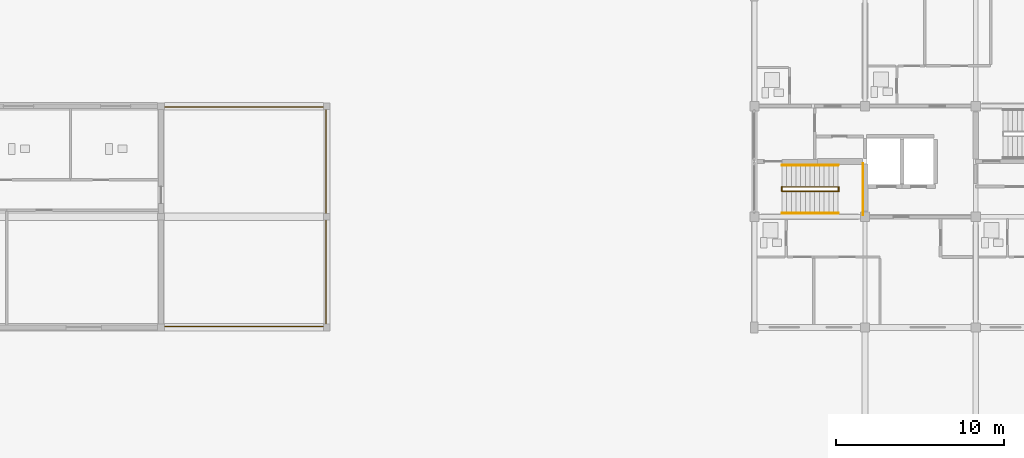
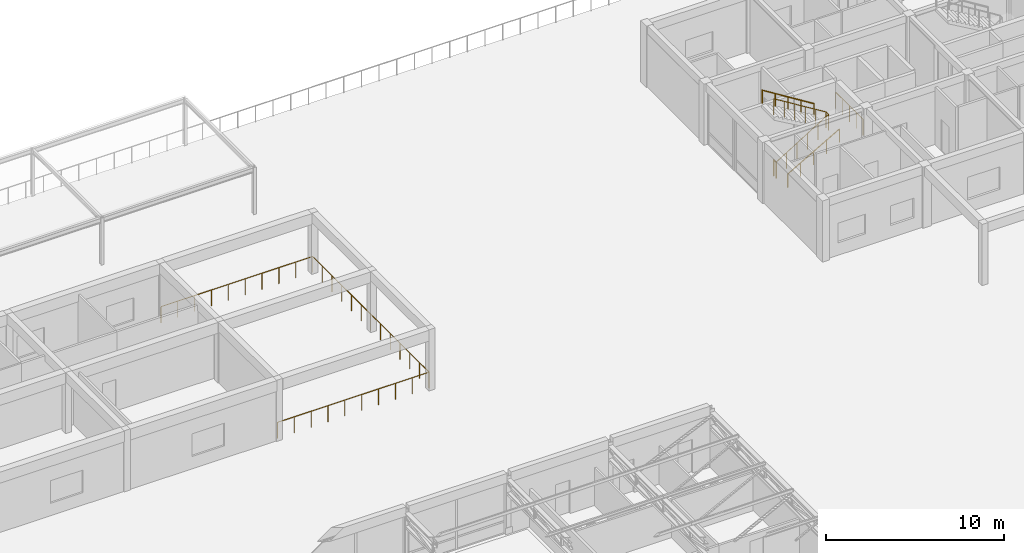
# One storey, part 87 of 92: 6 railings.
"""IFC4 building model written with IfcOpenShell, lengths in metres."""

from ifc_helpers import new_model, si_unit, direction, frame, origin, origin_2d, place, context, subcontext, project, spatial, circle, extrude, material, type_object, element, save


model = new_model("IFC4")

# Units and contexts
model_context = context("Model", 3, precision=1e-05, world=origin(), true_north=direction((0.0, 1.0)))
body_context = subcontext(model_context, "Body", "Model", "MODEL_VIEW")
ifc_project = project(units=[si_unit("LENGTHUNIT", "METRE"), si_unit("AREAUNIT", "SQUARE_METRE"), si_unit("VOLUMEUNIT", "CUBIC_METRE"), si_unit("PLANEANGLEUNIT", "RADIAN"), si_unit("MASSUNIT", "GRAM", prefix="KILO")], contexts=[model_context])

# Site, building, storey
site_placement = place(None, origin())
site = spatial("IfcSite", under=ifc_project, at=site_placement, CompositionType="ELEMENT")
building_placement = place(site_placement, origin())
building = spatial("IfcBuilding", under=site, at=building_placement, Name="Kernevlak Ridge Housing Community", CompositionType="ELEMENT")
storey_placement = place(building_placement, frame((0.0, 0.0, 4.199951171875)))
storey = spatial("IfcBuildingStorey", under=building, at=storey_placement, Name="L01", CompositionType="ELEMENT", Elevation=4.199951171875)

# Railings
ifc_material_1 = material(Name="Steel S355", Category="steel")
railing_type_1 = type_object("IfcRailingType", Name="GR-01", PredefinedType="GUARDRAIL", material=ifc_material_1)
railing_1_placement = place(storey_placement, frame((84.0, 82.64990234375, 0.0)))
element("IfcRailing", 1, at=railing_1_placement, inside=storey, type_object=railing_type_1, Name="Nursery outdoor play terrace guard GR-01 57", PredefinedType="GUARDRAIL", context=body_context, shape_type="SweptSolid", body=[
    extrude(circle(Radius=0.02392578125, at=origin_2d()), frame((0.0, 0.0, 1.09619140625), z_axis=(1.0, 0.0, 0.0), x_axis=(0.0, 1.0, 0.0)), (0.0, 0.0, 1.0), 9.85009765625),
    extrude(circle(Radius=0.02392578125, at=origin_2d()), frame((9.85009765625, 0.0, 1.09619140625), z_axis=(0.0, 1.0, 0.0), x_axis=(-1.0, 0.0, 0.0)), (0.0, 0.0, 1.0), 13.10009765625),
    extrude(circle(Radius=0.02392578125, at=origin_2d()), frame((9.85009765625, 13.10009765625, 1.09619140625), z_axis=(-1.0, 0.0, 0.0), x_axis=(0.0, -1.0, 0.0)), (0.0, 0.0, 1.0), 9.85009765625),
    extrude(circle(Radius=0.02099609375, at=origin_2d()), origin(), (0.0, 0.0, 1.0), 1.072021484375),
    extrude(circle(Radius=0.02099609375, at=origin_2d()), frame((1.094482421875, 0.0, 0.0)), (0.0, 0.0, 1.0), 1.072021484375),
    extrude(circle(Radius=0.02099609375, at=origin_2d()), frame((2.18896484375, 0.0, 0.0)), (0.0, 0.0, 1.0), 1.072021484375),
    extrude(circle(Radius=0.02099609375, at=origin_2d()), frame((3.283447265625, 0.0, 0.0)), (0.0, 0.0, 1.0), 1.072021484375),
    extrude(circle(Radius=0.02099609375, at=origin_2d()), frame((4.3779296875, 0.0, 0.0)), (0.0, 0.0, 1.0), 1.072021484375),
    extrude(circle(Radius=0.02099609375, at=origin_2d()), frame((5.47216796875, 0.0, 0.0)), (0.0, 0.0, 1.0), 1.072021484375),
    extrude(circle(Radius=0.02099609375, at=origin_2d()), frame((6.566650390625, 0.0, 0.0)), (0.0, 0.0, 1.0), 1.072021484375),
    extrude(circle(Radius=0.02099609375, at=origin_2d()), frame((7.6611328125, 0.0, 0.0)), (0.0, 0.0, 1.0), 1.072021484375),
    extrude(circle(Radius=0.02099609375, at=origin_2d()), frame((8.755615234375, 0.0, 0.0)), (0.0, 0.0, 1.0), 1.072021484375),
    extrude(circle(Radius=0.02099609375, at=origin_2d()), frame((9.85009765625, 0.0, 0.0)), (0.0, 0.0, 1.0), 1.072021484375),
    extrude(circle(Radius=0.02099609375, at=origin_2d()), frame((9.85009765625, 1.091796875, 0.0)), (0.0, 0.0, 1.0), 1.072021484375),
    extrude(circle(Radius=0.02099609375, at=origin_2d()), frame((9.85009765625, 2.183349609375, 0.0)), (0.0, 0.0, 1.0), 1.072021484375),
    extrude(circle(Radius=0.02099609375, at=origin_2d()), frame((9.85009765625, 3.27490234375, 0.0)), (0.0, 0.0, 1.0), 1.072021484375),
    extrude(circle(Radius=0.02099609375, at=origin_2d()), frame((9.85009765625, 4.36669921875, 0.0)), (0.0, 0.0, 1.0), 1.072021484375),
    extrude(circle(Radius=0.02099609375, at=origin_2d()), frame((9.85009765625, 5.45849609375, 0.0)), (0.0, 0.0, 1.0), 1.072021484375),
    extrude(circle(Radius=0.02099609375, at=origin_2d()), frame((9.85009765625, 6.550048828125, 0.0)), (0.0, 0.0, 1.0), 1.072021484375),
    extrude(circle(Radius=0.02099609375, at=origin_2d()), frame((9.85009765625, 7.641845703125, 0.0)), (0.0, 0.0, 1.0), 1.072021484375),
    extrude(circle(Radius=0.02099609375, at=origin_2d()), frame((9.85009765625, 8.7333984375, 0.0)), (0.0, 0.0, 1.0), 1.072021484375),
    extrude(circle(Radius=0.02099609375, at=origin_2d()), frame((9.85009765625, 9.8251953125, 0.0)), (0.0, 0.0, 1.0), 1.072021484375),
    extrude(circle(Radius=0.02099609375, at=origin_2d()), frame((9.85009765625, 10.916748046875, 0.0)), (0.0, 0.0, 1.0), 1.072021484375),
    extrude(circle(Radius=0.02099609375, at=origin_2d()), frame((9.85009765625, 12.00830078125, 0.0)), (0.0, 0.0, 1.0), 1.072021484375),
    extrude(circle(Radius=0.02099609375, at=origin_2d()), frame((9.85009765625, 13.10009765625, 0.0)), (0.0, 0.0, 1.0), 1.072021484375),
    extrude(circle(Radius=0.02099609375, at=origin_2d()), frame((8.755615234375, 13.10009765625, 0.0)), (0.0, 0.0, 1.0), 1.072021484375),
    extrude(circle(Radius=0.02099609375, at=origin_2d()), frame((7.6611328125, 13.10009765625, 0.0)), (0.0, 0.0, 1.0), 1.072021484375),
    extrude(circle(Radius=0.02099609375, at=origin_2d()), frame((6.566650390625, 13.10009765625, 0.0)), (0.0, 0.0, 1.0), 1.072021484375),
    extrude(circle(Radius=0.02099609375, at=origin_2d()), frame((5.47216796875, 13.10009765625, 0.0)), (0.0, 0.0, 1.0), 1.072021484375),
    extrude(circle(Radius=0.02099609375, at=origin_2d()), frame((4.3779296875, 13.10009765625, 0.0)), (0.0, 0.0, 1.0), 1.072021484375),
    extrude(circle(Radius=0.02099609375, at=origin_2d()), frame((3.283447265625, 13.10009765625, 0.0)), (0.0, 0.0, 1.0), 1.072021484375),
    extrude(circle(Radius=0.02099609375, at=origin_2d()), frame((2.18896484375, 13.10009765625, 0.0)), (0.0, 0.0, 1.0), 1.072021484375),
    extrude(circle(Radius=0.02099609375, at=origin_2d()), frame((1.094482421875, 13.10009765625, 0.0)), (0.0, 0.0, 1.0), 1.072021484375),
    extrude(circle(Radius=0.02099609375, at=origin_2d()), frame((0.0, 13.10009765625, 0.0)), (0.0, 0.0, 1.0), 1.072021484375),
])
railing_type_2 = type_object("IfcRailingType", Name="GR-02", PredefinedType="GUARDRAIL", material=ifc_material_1)
railing_2_placement = place(storey_placement, frame((121.0400390625, 90.7099609375, 0.0)))
element("IfcRailing", 2, at=railing_2_placement, inside=storey, type_object=railing_type_2, Name="Stair ST-B1 L01 well slot guard", PredefinedType="GUARDRAIL", context=body_context, shape_type="SweptSolid", body=[
    extrude(circle(Radius=0.02392578125, at=origin_2d()), frame((0.0, 0.0, 1.09619140625), z_axis=(0.0, 1.0, 0.0), x_axis=(-1.0, 0.0, 0.0)), (0.0, 0.0, 1.0), 0.280029296875),
    extrude(circle(Radius=0.02099609375, at=origin_2d()), origin(), (0.0, 0.0, 1.0), 1.072021484375),
    extrude(circle(Radius=0.02099609375, at=origin_2d()), frame((0.0, 0.280029296875, 0.0)), (0.0, 0.0, 1.0), 1.072021484375),
])
railing_3_placement = place(storey_placement, frame((121.0400390625, 90.719970703125, 0.0)))
element("IfcRailing", 3, at=railing_3_placement, inside=storey, type_object=railing_type_2, Name="Stair ST-B1 L01 inner well guardrail", PredefinedType="GUARDRAIL", context=body_context, shape_type="SweptSolid", body=[
    extrude(circle(Radius=0.02392578125, at=origin_2d()), frame((0.0, 0.0, 1.09619140625), z_axis=(0.850780323153, 0.0, 0.525521495028), x_axis=(0.0, 1.0, 0.0)), (0.0, 0.0, 1.0), 3.996337890625),
    extrude(circle(Radius=0.02392578125, at=origin_2d()), frame((3.39990234375, 0.0, 3.1962890625), z_axis=(0.0, 1.0, 0.0), x_axis=(-1.0, 0.0, 0.0)), (0.0, 0.0, 1.0), 0.260009765625),
    extrude(circle(Radius=0.02392578125, at=origin_2d()), frame((3.39990234375, 0.260009765625, 3.1962890625), z_axis=(-0.85080763774, 0.0, 0.525477272167), x_axis=(0.0, -1.0, 0.0)), (0.0, 0.0, 1.0), 3.99609375),
    extrude(circle(Radius=0.02099609375, at=origin_2d()), origin(), (0.0, 0.0, 1.0), 1.072021484375),
    extrude(circle(Radius=0.02099609375, at=origin_2d()), frame((0.679931640625, 0.0, 0.419921875)), (0.0, 0.0, 1.0), 1.072021484375),
    extrude(circle(Radius=0.02099609375, at=origin_2d()), frame((1.35986328125, 0.0, 0.840087890625)), (0.0, 0.0, 1.0), 1.072021484375),
    extrude(circle(Radius=0.02099609375, at=origin_2d()), frame((2.0400390625, 0.0, 1.260009765625)), (0.0, 0.0, 1.0), 1.072021484375),
    extrude(circle(Radius=0.02099609375, at=origin_2d()), frame((2.719970703125, 0.0, 1.68017578125)), (0.0, 0.0, 1.0), 1.072021484375),
    extrude(circle(Radius=0.02099609375, at=origin_2d()), frame((3.39990234375, 0.0, 2.10009765625)), (0.0, 0.0, 1.0), 1.072021484375),
    extrude(circle(Radius=0.02099609375, at=origin_2d()), frame((3.39990234375, 0.260009765625, 2.10009765625)), (0.0, 0.0, 1.0), 1.072021484375),
    extrude(circle(Radius=0.02099609375, at=origin_2d()), frame((2.719970703125, 0.260009765625, 2.52001953125)), (0.0, 0.0, 1.0), 1.072021484375),
    extrude(circle(Radius=0.02099609375, at=origin_2d()), frame((2.0400390625, 0.260009765625, 2.93994140625)), (0.0, 0.0, 1.0), 1.072021484375),
    extrude(circle(Radius=0.02099609375, at=origin_2d()), frame((1.35986328125, 0.260009765625, 3.360107421875)), (0.0, 0.0, 1.0), 1.072021484375),
    extrude(circle(Radius=0.02099609375, at=origin_2d()), frame((0.679931640625, 0.260009765625, 3.780029296875)), (0.0, 0.0, 1.0), 1.072021484375),
    extrude(circle(Radius=0.02099609375, at=origin_2d()), frame((0.0, 0.260009765625, 4.199951171875)), (0.0, 0.0, 1.0), 1.072021484375),
])
railing_4_placement = place(storey_placement, frame((125.8798828125, 89.320068359375, 2.10009765625)))
element("IfcRailing", 4, at=railing_4_placement, inside=storey, type_object=railing_type_2, Name="Stair ST-B1 L01 half-landing guard", PredefinedType="GUARDRAIL", context=body_context, shape_type="SweptSolid", body=[
    extrude(circle(Radius=0.02392578125, at=origin_2d()), frame((0.0, 0.0, 1.09619140625), z_axis=(0.0, 1.0, 0.0), x_axis=(-1.0, 0.0, 0.0)), (0.0, 0.0, 1.0), 3.059814453125),
    extrude(circle(Radius=0.02099609375, at=origin_2d()), origin(), (0.0, 0.0, 1.0), 1.072021484375),
    extrude(circle(Radius=0.02099609375, at=origin_2d()), frame((0.0, 0.764892578125, 0.0)), (0.0, 0.0, 1.0), 1.072021484375),
    extrude(circle(Radius=0.02099609375, at=origin_2d()), frame((0.0, 1.52978515625, 0.0)), (0.0, 0.0, 1.0), 1.072021484375),
    extrude(circle(Radius=0.02099609375, at=origin_2d()), frame((0.0, 2.294921875, 0.0)), (0.0, 0.0, 1.0), 1.072021484375),
    extrude(circle(Radius=0.02099609375, at=origin_2d()), frame((0.0, 3.059814453125, 0.0)), (0.0, 0.0, 1.0), 1.072021484375),
])
ifc_material_2 = material(Name="Stainless steel EN 1.4401", Category="steel")
railing_type_3 = type_object("IfcRailingType", Name="HR-01", PredefinedType="HANDRAIL", material=ifc_material_2)
railing_5_placement = place(storey_placement, frame((121.0400390625, 89.419921875, 0.16162109375)))
element("IfcRailing", 5, at=railing_5_placement, inside=storey, type_object=railing_type_3, Name="Stair ST-B1 L01 flight 1 handrail", PredefinedType="HANDRAIL", context=body_context, shape_type="SweptSolid", body=[
    extrude(circle(Radius=0.02392578125, at=origin_2d()), frame((0.0, 0.0, 0.89599609375), z_axis=(0.866175107563, 0.0, 0.499740615757), x_axis=(0.0, 1.0, 0.0)), (0.0, 0.0, 1.0), 3.87890625),
    extrude(circle(Radius=0.02099609375, at=origin_2d()), origin(), (0.0, 0.0, 1.0), 0.871826171875),
    extrude(circle(Radius=0.02099609375, at=origin_2d()), frame((0.83984375, 0.0, 0.484619140625)), (0.0, 0.0, 1.0), 0.871826171875),
    extrude(circle(Radius=0.02099609375, at=origin_2d()), frame((1.679931640625, 0.0, 0.96923828125)), (0.0, 0.0, 1.0), 0.871826171875),
    extrude(circle(Radius=0.02099609375, at=origin_2d()), frame((2.52001953125, 0.0, 1.453857421875)), (0.0, 0.0, 1.0), 0.871826171875),
    extrude(circle(Radius=0.02099609375, at=origin_2d()), frame((3.35986328125, 0.0, 1.9384765625)), (0.0, 0.0, 1.0), 0.871826171875),
])
railing_6_placement = place(storey_placement, frame((124.39990234375, 92.280029296875, 2.10009765625)))
element("IfcRailing", 6, at=railing_6_placement, inside=storey, type_object=railing_type_3, Name="Stair ST-B1 L01 flight 2 handrail", PredefinedType="HANDRAIL", context=body_context, shape_type="SweptSolid", body=[
    extrude(circle(Radius=0.02392578125, at=origin_2d()), frame((0.0, 0.0, 0.89599609375), z_axis=(-0.848005227453, 0.0, 0.529987862325), x_axis=(0.0, -1.0, 0.0)), (0.0, 0.0, 1.0), 3.962158203125),
    extrude(circle(Radius=0.02099609375, at=origin_2d()), origin(), (0.0, 0.0, 1.0), 0.871826171875),
    extrude(circle(Radius=0.02099609375, at=origin_2d()), frame((-0.83984375, 0.0, 0.52490234375)), (0.0, 0.0, 1.0), 0.871826171875),
    extrude(circle(Radius=0.02099609375, at=origin_2d()), frame((-1.679931640625, 0.0, 1.0498046875)), (0.0, 0.0, 1.0), 0.871826171875),
    extrude(circle(Radius=0.02099609375, at=origin_2d()), frame((-2.52001953125, 0.0, 1.574951171875)), (0.0, 0.0, 1.0), 0.871826171875),
    extrude(circle(Radius=0.02099609375, at=origin_2d()), frame((-3.35986328125, 0.0, 2.099853515625)), (0.0, 0.0, 1.0), 0.871826171875),
])

save(model, "model.ifc")
